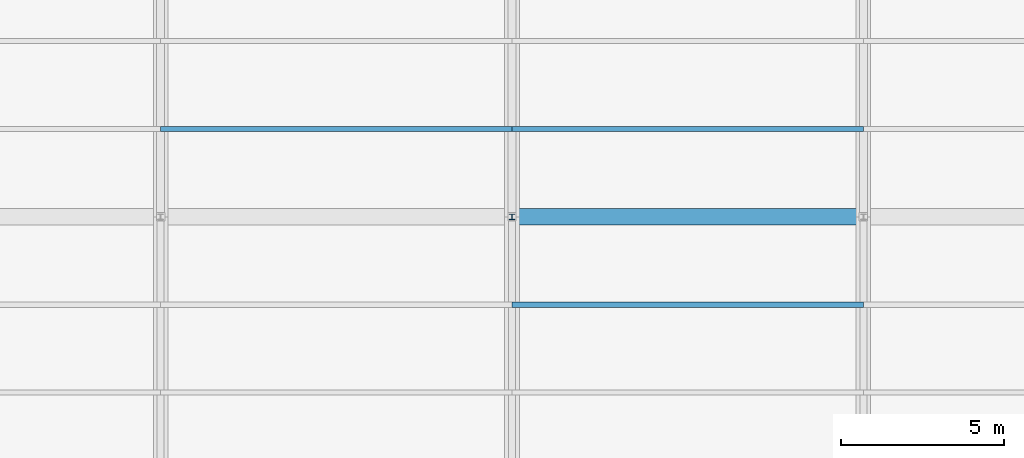
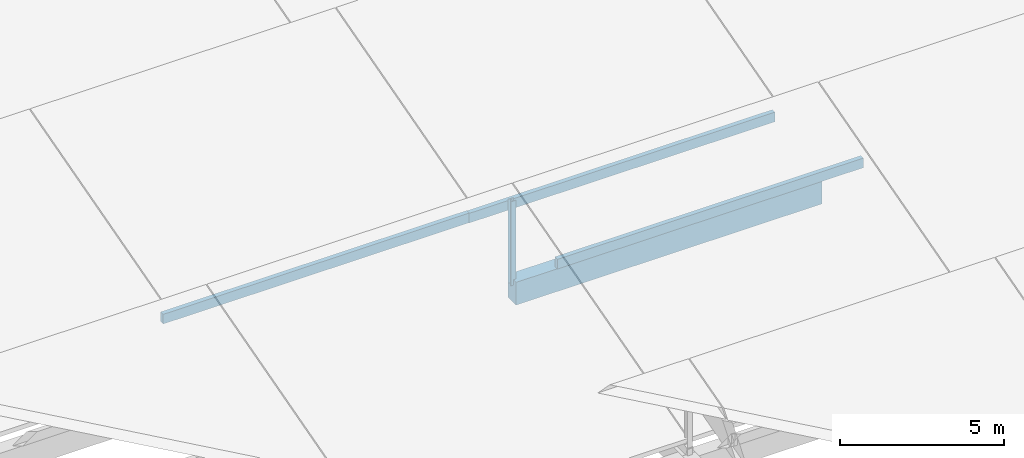
# One storey, part 21 of 112: 4 members, 1 beam.
"""IFC4 building model written with IfcOpenShell, lengths in metres."""

from ifc_helpers import new_model, si_unit, direction, frame, origin, origin_2d, place, context, subcontext, project, spatial, rectangle, i_section, extrude, material, material_profile, profile_set, type_object, element, save


model = new_model("IFC4")

# Units and contexts
model_context = context("Model", 3, precision=1e-05, world=origin(), true_north=direction((0.0, 1.0)))
body_context = subcontext(model_context, "Body", "Model", "MODEL_VIEW")
ifc_project = project(units=[si_unit("LENGTHUNIT", "METRE"), si_unit("AREAUNIT", "SQUARE_METRE"), si_unit("VOLUMEUNIT", "CUBIC_METRE"), si_unit("PLANEANGLEUNIT", "RADIAN"), si_unit("MASSUNIT", "GRAM", prefix="KILO")], contexts=[model_context])

# Site, building, storey
site_placement = place(None, origin())
site = spatial("IfcSite", under=ifc_project, at=site_placement, CompositionType="ELEMENT")
building_placement = place(site_placement, origin())
building = spatial("IfcBuilding", under=site, at=building_placement, Name="Zwinboog Wholesale Market", CompositionType="ELEMENT")
storey_placement = place(building_placement, frame((0.0, 0.0, 19.080078125)))
storey = spatial("IfcBuildingStorey", under=building, at=storey_placement, Name="Roof", CompositionType="ELEMENT", Elevation=19.080078125)

# Beam
ifc_material_1 = material(Name="Precast concrete C45/55", Category="concrete")
ifc_material_profile_1 = material_profile(ifc_material_1, rectangle(XDim=0.5, YDim=0.85009765625, at=origin_2d()), Name="PC 500x850")
ifc_profile_set_1 = profile_set([ifc_material_profile_1], Name="Precast concrete C45/55")
beam_type = type_object("IfcBeamType", Name="BT-03", PredefinedType="BEAM", material=ifc_profile_set_1)
beam_placement = place(storey_placement, frame((21.60009765625, 75.60009765625, -9.425048828125), z_axis=(1.0, 0.0, 0.0), x_axis=(0.0, 1.0, 0.0)))
element("IfcBeam", 1, at=beam_placement, inside=storey, type_object=beam_type, Name="BG-03 (BMG-Roof-0216-0756-1177)", PredefinedType="BEAM", context=body_context, shape_type="SweptSolid", body=[
    extrude(rectangle(XDim=0.5, YDim=0.85009765625, at=origin_2d()), origin(), (0.0, 0.0, 1.0), 10.7998046875),
])

# Members
ifc_material_2 = material(Name="Steel S355", Category="steel")
ifc_material_profile_2 = material_profile(ifc_material_2, i_section(OverallWidth=0.179931640625, OverallDepth=0.1708984375, WebThickness=0.006103515625, FlangeThickness=0.009521484375, FilletRadius=0.014892578125, at=origin_2d()), Name="HEA 180")
ifc_profile_set_2 = profile_set([ifc_material_profile_2], Name="Steel S355")
member_type_1 = type_object("IfcMemberType", Name="MT-07", PredefinedType="BRACE", material=ifc_profile_set_2)
member_1_placement = place(storey_placement, frame((21.60009765625, 75.60009765625, -9.2001953125), z_axis=(0.0, 0.0, 1.0), x_axis=(1.0, 0.0, 0.0)))
element("IfcMember", 2, at=member_1_placement, inside=storey, type_object=member_type_1, Name="DB-04 (MEM-Roof-0782)", PredefinedType="BRACE", context=body_context, shape_type="SweptSolid", body=[
    extrude(i_section(OverallWidth=0.179931640625, OverallDepth=0.1708984375, WebThickness=0.006103515625, FlangeThickness=0.009521484375, FilletRadius=0.014892578125, at=origin_2d()), origin(), (0.0, 0.0, 1.0), 3.134521484375),
])
ifc_material_3 = material(Name="Glulam GL28h", Category="wood")
ifc_material_profile_3 = material_profile(ifc_material_3, rectangle(XDim=0.159912109375, YDim=0.360107421875, at=origin_2d()), Name="GL28h 160x360")
ifc_profile_set_3 = profile_set([ifc_material_profile_3], Name="Glulam GL28h")
member_type_2 = type_object("IfcMemberType", Name="MT-12", PredefinedType="PURLIN", material=ifc_profile_set_3)
member_2_placement = place(storey_placement, frame((21.60009765625, 72.89990234375, -6.785888671875), z_axis=(1.0, 0.0, 0.0), x_axis=(0.0, 1.0, 0.0)))
element("IfcMember", 3, at=member_2_placement, inside=storey, type_object=member_type_2, Name="GP-01 (MEM-Roof-0785)", PredefinedType="PURLIN", context=body_context, shape_type="SweptSolid", body=[
    extrude(rectangle(XDim=0.159912109375, YDim=0.360107421875, at=origin_2d()), origin(), (0.0, 0.0, 1.0), 10.7998046875),
])
member_3_placement = place(storey_placement, frame((10.800048828125, 78.300048828125, -8.333251953125), z_axis=(1.0, 0.0, 0.0), x_axis=(0.0, 1.0, 0.0)))
element("IfcMember", 4, at=member_3_placement, inside=storey, type_object=member_type_2, Name="GP-01 (MEM-Roof-0798)", PredefinedType="PURLIN", context=body_context, shape_type="SweptSolid", body=[
    extrude(rectangle(XDim=0.159912109375, YDim=0.360107421875, at=origin_2d()), origin(), (0.0, 0.0, 1.0), 10.800048828125),
])
member_4_placement = place(storey_placement, frame((21.60009765625, 78.300048828125, -8.345703125), z_axis=(1.0, 0.0, 0.0), x_axis=(0.0, 1.0, 0.0)))
element("IfcMember", 5, at=member_4_placement, inside=storey, type_object=member_type_2, Name="GP-01 (MEM-Roof-0802)", PredefinedType="PURLIN", context=body_context, shape_type="SweptSolid", body=[
    extrude(rectangle(XDim=0.159912109375, YDim=0.360107421875, at=origin_2d()), origin(), (0.0, 0.0, 1.0), 10.7998046875),
])

save(model, "model.ifc")
